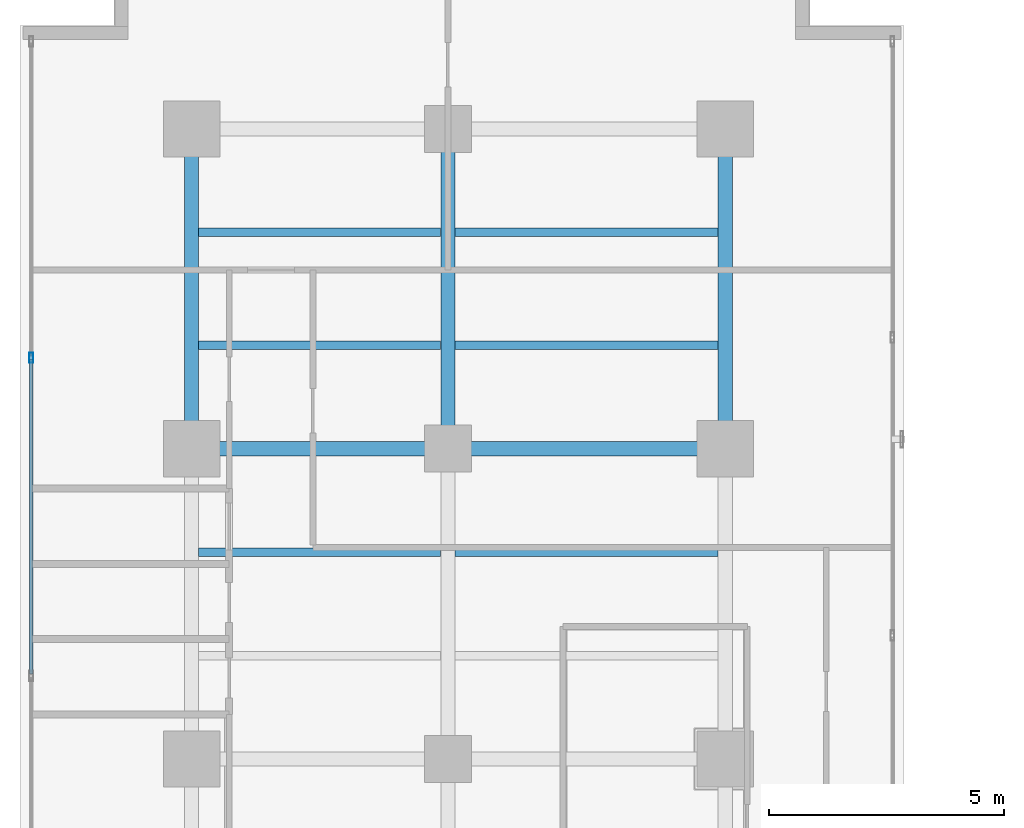
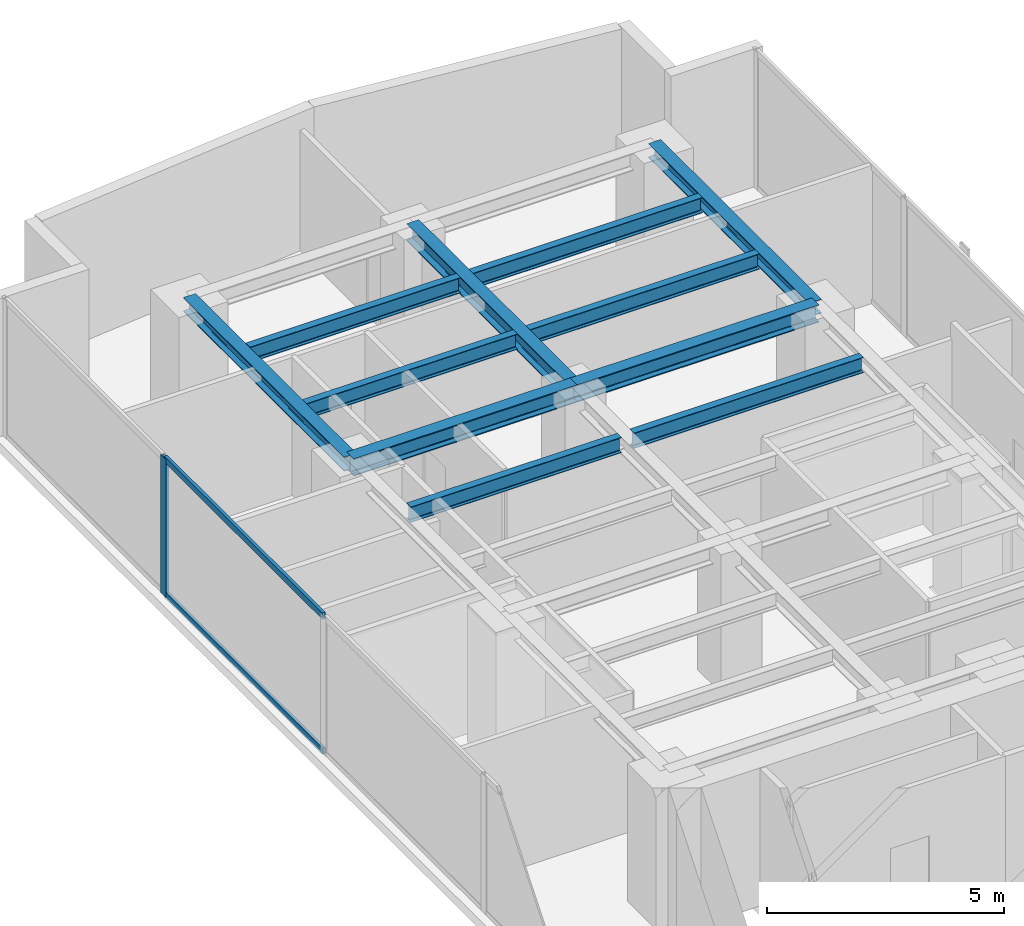
# One storey, part 16 of 27: 11 beams, 3 members, 1 element without a shape of its own.
"""IFC4 building model written with IfcOpenShell, lengths in metres."""

from ifc_helpers import new_model, si_unit, direction, frame, origin, origin_with_axes, origin_2d, place, context, subcontext, project, spatial, hollow_rectangle, i_section, extrude, source, transform, mapped, material, layer, layer_set, material_profile, profile_set, type_object, element, aggregate, save


model = new_model("IFC4")

# Units and contexts
model_context = context("Model", 3, precision=1e-05, world=origin(), true_north=direction((0.0, 1.0)))
body_context = subcontext(model_context, "Body", "Model", "MODEL_VIEW")
ifc_project = project(units=[si_unit("LENGTHUNIT", "METRE"), si_unit("AREAUNIT", "SQUARE_METRE"), si_unit("VOLUMEUNIT", "CUBIC_METRE"), si_unit("PLANEANGLEUNIT", "RADIAN"), si_unit("MASSUNIT", "GRAM", prefix="KILO")], contexts=[model_context])

# Site, building, storey
site_placement = place(None, origin())
site = spatial("IfcSite", under=ifc_project, at=site_placement, CompositionType="ELEMENT")
building_placement = place(site_placement, origin())
building = spatial("IfcBuilding", under=site, at=building_placement, Name="Kolvaren Waterfront Exchange", CompositionType="ELEMENT")
storey_placement = place(building_placement, frame((0.0, 0.0, 176.60009765625)))
storey = spatial("IfcBuildingStorey", under=building, at=storey_placement, Name="L45", CompositionType="ELEMENT", Elevation=176.60009765625)

# Beams
ifc_material_1 = material(Name="Steel S355", Category="steel")
ifc_material_profile_1 = material_profile(ifc_material_1, i_section(OverallWidth=0.300048828125, OverallDepth=0.360107421875, WebThickness=0.012451171875, FlangeThickness=0.0224609375, FilletRadius=0.027099609375, at=origin_2d()), Name="HEB360")
ifc_profile_set_1 = profile_set([ifc_material_profile_1], Name="Steel S355")
beam_type_1 = type_object("IfcBeamType", Name="STR-BM-HEB360", PredefinedType="SPANDREL", material=ifc_profile_set_1)
for number, where, z_axis, x_axis, name in (
    (1, (7.449951171875, 37.800048828125, 3.3798828125), (0.0, 1.0, 0.0), (-1.0, 0.0, 0.0), "L45 north-arm edge beam 3"),
    (2, (18.800048828125, 37.800048828125, 3.3798828125), (0.0, 1.0, 0.0), (-1.0, 0.0, 0.0), "L45 north-arm edge beam 3"),
):
    element("IfcBeam", number, at=place(storey_placement, frame(where, z_axis=z_axis, x_axis=x_axis)), inside=storey, type_object=beam_type_1, Name=name, PredefinedType="SPANDREL", context=body_context, shape_type="SweptSolid", body=[
        extrude(i_section(OverallWidth=0.300048828125, OverallDepth=0.360107421875, WebThickness=0.012451171875, FlangeThickness=0.0224609375, FilletRadius=0.027099609375, at=origin_2d()), origin(), (0.0, 0.0, 1.0), 6.800048828125),
    ])
ifc_material_profile_2 = material_profile(ifc_material_1, i_section(OverallWidth=0.300048828125, OverallDepth=0.449951171875, WebThickness=0.013916015625, FlangeThickness=0.02587890625, FilletRadius=0.027099609375, at=origin_2d()), Name="HEB450")
ifc_profile_set_2 = profile_set([ifc_material_profile_2], Name="Steel S355")
beam_type_2 = type_object("IfcBeamType", Name="STR-BM-HEB450", PredefinedType="BEAM", material=ifc_profile_set_2)
beam_1_placement = place(storey_placement, frame((7.449951171875, 37.800048828125, 3.3349609375), z_axis=(1.0, 0.0, 0.0), x_axis=(0.0, 1.0, 0.0)))
element("IfcBeam", 3, at=beam_1_placement, inside=storey, type_object=beam_type_2, Name="L45 north-arm girder 3A", PredefinedType="BEAM", context=body_context, shape_type="SweptSolid", body=[
    extrude(i_section(OverallWidth=0.300048828125, OverallDepth=0.449951171875, WebThickness=0.013916015625, FlangeThickness=0.02587890625, FilletRadius=0.027099609375, at=origin_2d()), origin(), (0.0, 0.0, 1.0), 5.449951171875),
])
beam_2_placement = place(storey_placement, frame((12.89990234375, 37.800048828125, 3.3349609375), z_axis=(1.0, 0.0, 0.0), x_axis=(0.0, 1.0, 0.0)))
element("IfcBeam", 4, at=beam_2_placement, inside=storey, type_object=beam_type_2, Name="L45 north-arm girder 3B", PredefinedType="BEAM", context=body_context, shape_type="SweptSolid", body=[
    extrude(i_section(OverallWidth=0.300048828125, OverallDepth=0.449951171875, WebThickness=0.013916015625, FlangeThickness=0.02587890625, FilletRadius=0.027099609375, at=origin_2d()), origin(), (0.0, 0.0, 1.0), 5.900146484375),
])
beam_3_placement = place(storey_placement, frame((12.89990234375, 37.800048828125, 3.3349609375), z_axis=(0.0, 1.0, 0.0), x_axis=(-1.0, 0.0, 0.0)))
element("IfcBeam", 5, at=beam_3_placement, inside=storey, type_object=beam_type_2, Name="L45 north-arm edge beam 3", PredefinedType="BEAM", context=body_context, shape_type="SweptSolid", body=[
    extrude(i_section(OverallWidth=0.300048828125, OverallDepth=0.449951171875, WebThickness=0.013916015625, FlangeThickness=0.02587890625, FilletRadius=0.027099609375, at=origin_2d()), origin(), (0.0, 0.0, 1.0), 6.800048828125),
])
ifc_material_profile_3 = material_profile(ifc_material_1, i_section(OverallWidth=0.179931640625, OverallDepth=0.39990234375, WebThickness=0.008544921875, FlangeThickness=0.013427734375, FilletRadius=0.02099609375, at=origin_2d()), Name="IPE400")
ifc_profile_set_3 = profile_set([ifc_material_profile_3], Name="Steel S355")
beam_type_3 = type_object("IfcBeamType", Name="STR-BM-IPE400", PredefinedType="JOIST", material=ifc_profile_set_3)
beam_4_placement = place(storey_placement, frame((7.60205078125, 35.60009765625, 3.35986328125), z_axis=(1.0, 0.0, 0.0), x_axis=(0.0, 1.0, 0.0)))
element("IfcBeam", 6, at=beam_4_placement, inside=storey, type_object=beam_type_3, Name="L45 north-arm composite joist 4A", PredefinedType="JOIST", context=body_context, shape_type="SweptSolid", body=[
    extrude(i_section(OverallWidth=0.179931640625, OverallDepth=0.39990234375, WebThickness=0.008544921875, FlangeThickness=0.013427734375, FilletRadius=0.02099609375, at=origin_2d()), origin(), (0.0, 0.0, 1.0), 5.14599609375),
])
beam_5_placement = place(storey_placement, frame((13.052001953125, 35.60009765625, 3.35986328125), z_axis=(1.0, 0.0, 0.0), x_axis=(0.0, 1.0, 0.0)))
element("IfcBeam", 7, at=beam_5_placement, inside=storey, type_object=beam_type_3, Name="L45 north-arm composite joist 4B", PredefinedType="JOIST", context=body_context, shape_type="SweptSolid", body=[
    extrude(i_section(OverallWidth=0.179931640625, OverallDepth=0.39990234375, WebThickness=0.008544921875, FlangeThickness=0.013427734375, FilletRadius=0.02099609375, at=origin_2d()), origin(), (0.0, 0.0, 1.0), 5.595947265625),
])
beam_6_placement = place(storey_placement, frame((7.60205078125, 40.0, 3.35986328125), z_axis=(1.0, 0.0, 0.0), x_axis=(0.0, 1.0, 0.0)))
element("IfcBeam", 8, at=beam_6_placement, inside=storey, type_object=beam_type_3, Name="L45 north-arm composite joist 5A", PredefinedType="JOIST", context=body_context, shape_type="SweptSolid", body=[
    extrude(i_section(OverallWidth=0.179931640625, OverallDepth=0.39990234375, WebThickness=0.008544921875, FlangeThickness=0.013427734375, FilletRadius=0.02099609375, at=origin_2d()), origin(), (0.0, 0.0, 1.0), 5.14599609375),
])
beam_7_placement = place(storey_placement, frame((13.052001953125, 40.0, 3.35986328125), z_axis=(1.0, 0.0, 0.0), x_axis=(0.0, 1.0, 0.0)))
element("IfcBeam", 9, at=beam_7_placement, inside=storey, type_object=beam_type_3, Name="L45 north-arm composite joist 5B", PredefinedType="JOIST", context=body_context, shape_type="SweptSolid", body=[
    extrude(i_section(OverallWidth=0.179931640625, OverallDepth=0.39990234375, WebThickness=0.008544921875, FlangeThickness=0.013427734375, FilletRadius=0.02099609375, at=origin_2d()), origin(), (0.0, 0.0, 1.0), 5.595947265625),
])
beam_8_placement = place(storey_placement, frame((7.60205078125, 42.39990234375, 3.35986328125), z_axis=(1.0, 0.0, 0.0), x_axis=(0.0, 1.0, 0.0)))
element("IfcBeam", 10, at=beam_8_placement, inside=storey, type_object=beam_type_3, Name="L45 north-arm composite joist 6A", PredefinedType="JOIST", context=body_context, shape_type="SweptSolid", body=[
    extrude(i_section(OverallWidth=0.179931640625, OverallDepth=0.39990234375, WebThickness=0.008544921875, FlangeThickness=0.013427734375, FilletRadius=0.02099609375, at=origin_2d()), origin(), (0.0, 0.0, 1.0), 5.14599609375),
])
beam_9_placement = place(storey_placement, frame((13.052001953125, 42.39990234375, 3.35986328125), z_axis=(1.0, 0.0, 0.0), x_axis=(0.0, 1.0, 0.0)))
element("IfcBeam", 11, at=beam_9_placement, inside=storey, type_object=beam_type_3, Name="L45 north-arm composite joist 6B", PredefinedType="JOIST", context=body_context, shape_type="SweptSolid", body=[
    extrude(i_section(OverallWidth=0.179931640625, OverallDepth=0.39990234375, WebThickness=0.008544921875, FlangeThickness=0.013427734375, FilletRadius=0.02099609375, at=origin_2d()), origin(), (0.0, 0.0, 1.0), 5.595947265625),
])

# Curtain wall, members
ifc_material_2 = material(Name="Anodised aluminium 6063-T6", Category="aluminium")
ifc_layer = layer(ifc_material_2, 0.219970703125, Name="Anodised aluminium 6063-T6")
ifc_layer_set = layer_set([ifc_layer], Name="Anodised aluminium 6063-T6")
curtain_wall_type = type_object("IfcCurtainWallType", Name="ARC-CW-SYS2", PredefinedType="USERDEFINED", material=ifc_layer_set)
curtain_wall_placement = place(storey_placement, origin())
curtain_wall = element("IfcCurtainWall", 12, at=curtain_wall_placement, inside=storey, type_object=curtain_wall_type, Name="L45 stick curtain wall CW2 (CW-L45-W)", ObjectType="STICK CURTAIN WALL", PredefinedType="USERDEFINED")
ifc_material_profile_4 = material_profile(ifc_material_2, hollow_rectangle(XDim=0.074951171875, YDim=0.159912109375, WallThickness=0.00439453125, at=origin_2d()), Name="ALU-TRN-160x75x4.5")
ifc_profile_set_4 = profile_set([ifc_material_profile_4], Name="Anodised aluminium 6063-T6")
member_type_1 = type_object("IfcMemberType", Name="ARC-CWT-160", PredefinedType="USERDEFINED", material=ifc_profile_set_4)
shared_shape_1 = source(origin_with_axes(), body_context, "Body", "SweptSolid", [
    extrude(hollow_rectangle(XDim=0.074951171875, YDim=0.159912109375, WallThickness=0.00439453125, at=origin_2d()), origin(), (0.0, 0.0, 1.0), 6.686767578125),
])
member_1_placement = place(storey_placement, frame((4.0400390625, 33.006591796875, 0.037353515625), z_axis=(0.0, 1.0, 0.0), x_axis=(-1.0, 0.0, 0.0)))
member_1 = element("IfcMember", 13, at=member_1_placement, type_object=member_type_1, Name="CW2 transom 5.1", ObjectType="TRANSOM", PredefinedType="USERDEFINED", context=body_context, shape_type="MappedRepresentation", body=[
    mapped(shared_shape_1, transform((0.0, 0.0, 0.0), x_axis=(1.0, 0.0, 0.0), y_axis=(0.0, 1.0, 0.0), z_axis=(0.0, 0.0, 1.0), scale=1.0)),
])
member_2_placement = place(storey_placement, frame((4.0400390625, 33.006591796875, 3.5224609375), z_axis=(0.0, 1.0, 0.0), x_axis=(-1.0, 0.0, 0.0)))
member_2 = element("IfcMember", 14, at=member_2_placement, type_object=member_type_1, Name="CW2 transom 5.2", ObjectType="TRANSOM", PredefinedType="USERDEFINED", context=body_context, shape_type="MappedRepresentation", body=[
    mapped(shared_shape_1, transform((0.0, 0.0, 0.0), x_axis=(1.0, 0.0, 0.0), y_axis=(0.0, 1.0, 0.0), z_axis=(0.0, 0.0, 1.0), scale=1.0)),
])
ifc_material_profile_5 = material_profile(ifc_material_2, hollow_rectangle(XDim=0.080078125, YDim=0.219970703125, WallThickness=0.0048828125, at=origin_2d()), Name="ALU-MUL-220x80x5")
ifc_profile_set_5 = profile_set([ifc_material_profile_5], Name="Anodised aluminium 6063-T6")
member_type_2 = type_object("IfcMemberType", Name="ARC-CWM-220", PredefinedType="MULLION", material=ifc_profile_set_5)
shared_shape_2 = source(origin_with_axes(), body_context, "Body", "SweptSolid", [
    extrude(hollow_rectangle(XDim=0.080078125, YDim=0.219970703125, WallThickness=0.0048828125, at=origin_2d()), origin(), (0.0, 0.0, 1.0), 3.559814453125),
])
member_3_placement = place(storey_placement, frame((4.0400390625, 39.7333984375, 0.0), z_axis=(0.0, 0.0, 1.0), x_axis=(-1.0, 0.0, 0.0)))
member_3 = element("IfcMember", 15, at=member_3_placement, type_object=member_type_2, Name="CW2 mullion 6", PredefinedType="MULLION", context=body_context, shape_type="MappedRepresentation", body=[
    mapped(shared_shape_2, transform((0.0, 0.0, 0.0), x_axis=(1.0, 0.0, 0.0), y_axis=(0.0, 1.0, 0.0), z_axis=(0.0, 0.0, 1.0), scale=1.0)),
])
aggregate(curtain_wall, [member_3, member_1, member_2])

save(model, "model.ifc")
